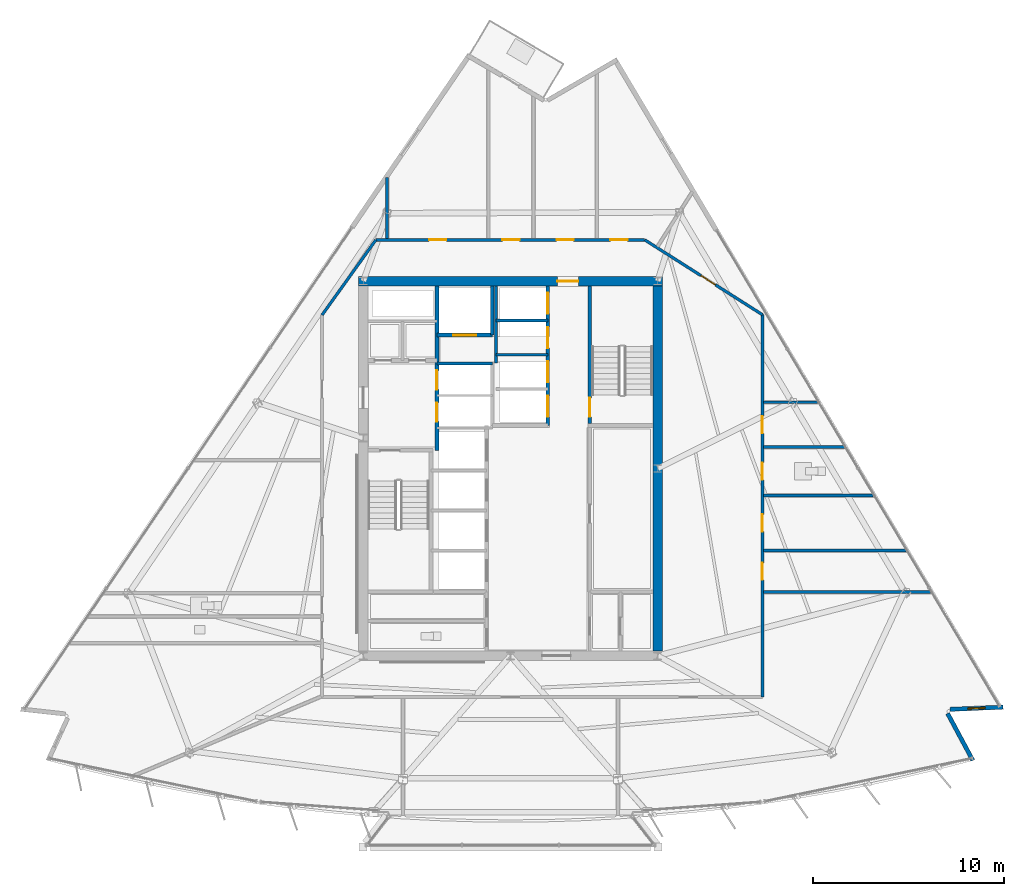
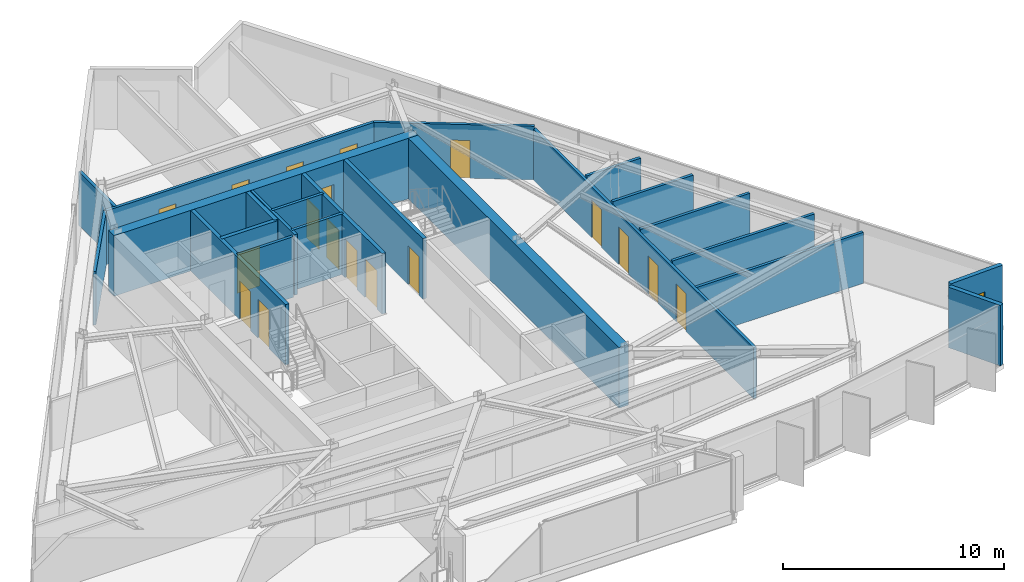
# One storey, part 9 of 14: 23 walls, 18 doors, 1 window, 19 openings.
"""IFC4 building model written with IfcOpenShell, lengths in metres."""

from ifc_helpers import new_model, si_unit, direction, frame, frame_2d, origin, place, context, subcontext, project, spatial, rectangle, extrude, material, layer, layer_set, type_object, element, fill, save


model = new_model("IFC4")

# Units and contexts
model_context = context("Model", 3, precision=1e-05, world=origin(), true_north=direction((0.0, 1.0)))
body_context = subcontext(model_context, "Body", "Model", "MODEL_VIEW")
ifc_project = project(units=[si_unit("LENGTHUNIT", "METRE"), si_unit("AREAUNIT", "SQUARE_METRE"), si_unit("VOLUMEUNIT", "CUBIC_METRE"), si_unit("PLANEANGLEUNIT", "RADIAN"), si_unit("MASSUNIT", "GRAM", prefix="KILO")], contexts=[model_context])

# Site, building, storey
site_placement = place(None, origin())
site = spatial("IfcSite", under=ifc_project, at=site_placement, CompositionType="ELEMENT")
building_placement = place(site_placement, origin())
building = spatial("IfcBuilding", under=site, at=building_placement, Name="Savorim Split Tower", CompositionType="ELEMENT")
storey_placement = place(building_placement, frame((0.0, 0.0, 205.5)))
storey = spatial("IfcBuildingStorey", under=building, at=storey_placement, Name="L54", CompositionType="ELEMENT", Elevation=205.5)

# Wall, opening, door
ifc_material_1 = material(Name="Concrete C60/75", Category="concrete")
ifc_layer_1 = layer(ifc_material_1, 0.5)
ifc_layer_set_1 = layer_set([ifc_layer_1], Name="WAL-COR-SH500")
wall_type_1 = type_object("IfcWallType", Name="WAL-COR-SH500", PredefinedType="SHEAR", material=ifc_layer_set_1)
wall_1_placement = place(storey_placement, frame((7.949951171875, 10.199951171875, 0.0), z_axis=(0.0, 0.0, 1.0), x_axis=(-1.0, 0.0, 0.0)))
wall_1 = element("IfcWall", 1, at=wall_1_placement, inside=storey, type_object=wall_type_1, Name="L54 Offset Core North Shear Wall", PredefinedType="SHEAR", context=body_context, shape_type="SweptSolid", body=[
    extrude(rectangle(XDim=15.89990234375, YDim=0.5, at=frame_2d((7.949951171875, 0.0))), origin(), (0.0, 0.0, 1.0), 3.35009765625),
])
opening_1_placement = place(wall_1_placement, frame((4.39990234375, 0.0, 0.0)))
opening_1 = element("IfcOpeningElement", 2, at=opening_1_placement, cuts=wall_1, Name="Opening DI-03", PredefinedType="OPENING", context=body_context, shape_type="SweptSolid", body=[
    extrude(rectangle(XDim=1.10009765625, YDim=2.14990234375, at=frame_2d((0.550048828125, 1.074951171875))), frame((0.0, 0.260009765625, 0.0), z_axis=(0.0, -1.0, 0.0), x_axis=(1.0, 0.0, 0.0)), (0.0, 0.0, 1.0), 0.52001953125),
])
ifc_material_2 = material(Name="Timber Fire Door Leaf", Category="wood")
door_type_1 = type_object("IfcDoorType", Name="DOR-FIR-1100", OperationType="NOTDEFINED", PredefinedType="DOOR", material=ifc_material_2)
door_1_placement = place(opening_1_placement, origin())
door_1 = element("IfcDoor", 3, at=door_1_placement, inside=storey, type_object=door_type_1, Name="DOR-L54-COR-NLOB - L54 North Corridor Lobby Fire Door", OperationType="SINGLE_SWING_LEFT", OverallHeight=2.14990234375, OverallWidth=1.10009765625, PredefinedType="DOOR", context=body_context, shape_type="SweptSolid", body=[
    extrude(rectangle(XDim=1.10009765625, YDim=2.14990234375, at=frame_2d((0.550048828125, 1.074951171875))), frame((0.0, 0.02490234375, 0.0), z_axis=(0.0, -1.0, 0.0), x_axis=(1.0, 0.0, 0.0)), (0.0, 0.0, 1.0), 0.050048828125),
])
fill(opening_1, door_1)

# Walls
wall_2_placement = place(storey_placement, frame((7.699951171875, 9.949951171875, 0.0), z_axis=(0.0, 0.0, 1.0), x_axis=(0.0, -1.0, 0.0)))
element("IfcWall", 4, at=wall_2_placement, inside=storey, type_object=wall_type_1, Name="L54 Offset Core East Shear Wall", PredefinedType="SHEAR", context=body_context, shape_type="SweptSolid", body=[
    extrude(rectangle(XDim=19.099853515625, YDim=0.5, at=frame_2d((9.5498046875, 0.0))), origin(), (0.0, 0.0, 1.0), 3.35009765625),
])
ifc_material_3 = material(Name="Precast concrete C40/50", Category="concrete")
ifc_layer_2 = layer(ifc_material_3, 0.219970703125)
ifc_layer_set_2 = layer_set([ifc_layer_2], Name="WAL-EXT-CRN220")
wall_type_2 = type_object("IfcWallType", Name="WAL-EXT-CRN220", PredefinedType="SOLIDWALL", material=ifc_layer_set_2)
wall_3_placement = place(storey_placement, frame((22.86767578125, -12.414794921875, 0.0), z_axis=(0.0, 0.0, 1.0), x_axis=(0.472845900162, -0.881145138272, 0.0)))
element("IfcWall", 5, at=wall_3_placement, inside=storey, type_object=wall_type_2, Name="L54 Notched Corner Facade Wall SE1", PredefinedType="SOLIDWALL", context=body_context, shape_type="SweptSolid", body=[
    extrude(rectangle(XDim=2.78759765625, YDim=0.219970703125, at=frame_2d((1.393798828125, 0.0))), origin(), (0.0, 0.0, 1.0), 3.35009765625),
])

# Wall, opening, window
wall_4_placement = place(storey_placement, frame((25.77197265625, -12.082763671875, 0.0), z_axis=(0.0, 0.0, 1.0), x_axis=(-0.999095761456, -0.042516578425, 0.0)))
wall_4 = element("IfcWall", 6, at=wall_4_placement, inside=storey, type_object=wall_type_2, Name="L54 Notched Corner Facade Wall SE", PredefinedType="SOLIDWALL", context=body_context, shape_type="SweptSolid", body=[
    extrude(rectangle(XDim=2.784912109375, YDim=0.219970703125, at=frame_2d((1.392578125, 0.0))), origin(), (0.0, 0.0, 1.0), 3.35009765625),
])
opening_2_placement = place(wall_4_placement, frame((0.9423828125, 0.0, 0.6201171875)))
opening_2 = element("IfcOpeningElement", 7, at=opening_2_placement, cuts=wall_4, Name="Opening WN-10", PredefinedType="OPENING", context=body_context, shape_type="SweptSolid", body=[
    extrude(rectangle(XDim=0.89990234375, YDim=1.60009765625, at=frame_2d((0.449951171875, 0.800048828125))), frame((0.0, 0.119873046875, 0.0), z_axis=(0.0, -1.0, 0.0), x_axis=(1.0, 0.0, 0.0)), (0.0, 0.0, 1.0), 0.239990234375),
])
ifc_material_4 = material(Name="Low-E Operable Double Glazing", Category="glass")
window_type = type_object("IfcWindowType", Name="WIN-TWR-900x1600", PartitioningType="SINGLE_PANEL", PredefinedType="WINDOW", material=ifc_material_4)
window_placement = place(opening_2_placement, origin())
window = element("IfcWindow", 8, at=window_placement, inside=storey, type_object=window_type, Name="L54 Operable Corner Window SE", OverallHeight=1.60009765625, OverallWidth=0.89990234375, PartitioningType="SINGLE_PANEL", PredefinedType="WINDOW", context=body_context, shape_type="SweptSolid", body=[
    extrude(rectangle(XDim=0.89990234375, YDim=1.60009765625, at=frame_2d((0.449951171875, 0.800048828125))), frame((0.0, 0.030029296875, 0.0), z_axis=(0.0, -1.0, 0.0), x_axis=(1.0, 0.0, 0.0)), (0.0, 0.0, 1.0), 0.06005859375),
])
fill(opening_2, window)

# Wall, openings, doors
ifc_material_5 = material(Name="Concrete C50/60", Category="concrete")
ifc_layer_3 = layer(ifc_material_5, 0.199951171875)
ifc_layer_set_3 = layer_set([ifc_layer_3], Name="WAL-INT-RC200")
wall_type_3 = type_object("IfcWallType", Name="WAL-INT-RC200", PredefinedType="SOLIDWALL", material=ifc_layer_set_3)
wall_5_placement = place(storey_placement, frame((-3.85009765625, 1.35009765625, 0.0), z_axis=(0.0, 0.0, 1.0), x_axis=(0.0, 1.0, 0.0)))
wall_5 = element("IfcWall", 9, at=wall_5_placement, inside=storey, type_object=wall_type_3, Name="L54 Partition W-L54-CR03", PredefinedType="SOLIDWALL", context=body_context, shape_type="SweptSolid", body=[
    extrude(rectangle(XDim=8.594970703125, YDim=0.199951171875, at=frame_2d((4.29736328125, 0.0))), origin(), (0.0, 0.0, 1.0), 3.35009765625),
])
opening_3_placement = place(wall_5_placement, frame((1.5, 0.0, 0.0)))
opening_3 = element("IfcOpeningElement", 10, at=opening_3_placement, cuts=wall_5, Name="Opening LD-FFL", PredefinedType="OPENING", context=body_context, shape_type="SweptSolid", body=[
    extrude(rectangle(XDim=1.0, YDim=2.14990234375, at=frame_2d((0.5, 1.074951171875))), frame((0.0, 0.10986328125, 0.0), z_axis=(0.0, -1.0, 0.0), x_axis=(1.0, 0.0, 0.0)), (0.0, 0.0, 1.0), 0.219970703125),
])
opening_4_placement = place(wall_5_placement, frame((3.179931640625, 0.0, 0.0)))
opening_4 = element("IfcOpeningElement", 11, at=opening_4_placement, cuts=wall_5, Name="Opening LD-FFL", PredefinedType="OPENING", context=body_context, shape_type="SweptSolid", body=[
    extrude(rectangle(XDim=1.0, YDim=2.14990234375, at=frame_2d((0.5, 1.074951171875))), frame((0.0, 0.10986328125, 0.0), z_axis=(0.0, -1.0, 0.0), x_axis=(1.0, 0.0, 0.0)), (0.0, 0.0, 1.0), 0.219970703125),
])
ifc_material_6 = material(Name="Charcoal Anodised Aluminium", Category="aluminium")
door_type_2 = type_object("IfcDoorType", Name="DOR-SLD-LD1000", OperationType="NOTDEFINED", PredefinedType="DOOR", material=ifc_material_6)
door_2_placement = place(opening_3_placement, origin())
door_2 = element("IfcDoor", 12, at=door_2_placement, inside=storey, type_object=door_type_2, Name="DR-L54-LD-FFL1 - L54 Firefighting Lift FFL-1 Sliding Landing Door", OperationType="DOUBLE_DOOR_SLIDING", OverallHeight=2.14990234375, OverallWidth=1.0, PredefinedType="DOOR", context=body_context, shape_type="SweptSolid", body=[
    extrude(rectangle(XDim=1.0, YDim=2.14990234375, at=frame_2d((0.5, 1.074951171875))), frame((0.0, 0.02490234375, 0.0), z_axis=(0.0, -1.0, 0.0), x_axis=(1.0, 0.0, 0.0)), (0.0, 0.0, 1.0), 0.050048828125),
])
fill(opening_3, door_2)
door_3_placement = place(opening_4_placement, origin())
door_3 = element("IfcDoor", 13, at=door_3_placement, inside=storey, type_object=door_type_2, Name="DR-L54-LD-FFL2 - L54 Firefighting Lift FFL-2 Sliding Landing Door", OperationType="DOUBLE_DOOR_SLIDING", OverallHeight=2.14990234375, OverallWidth=1.0, PredefinedType="DOOR", context=body_context, shape_type="SweptSolid", body=[
    extrude(rectangle(XDim=1.0, YDim=2.14990234375, at=frame_2d((0.5, 1.074951171875))), frame((0.0, 0.02490234375, 0.0), z_axis=(0.0, -1.0, 0.0), x_axis=(1.0, 0.0, 0.0)), (0.0, 0.0, 1.0), 0.050048828125),
])
fill(opening_4, door_3)

# Wall, opening, door
wall_6_placement = place(storey_placement, frame((4.14990234375, 2.75, 0.0), z_axis=(0.0, 0.0, 1.0), x_axis=(0.0, 1.0, 0.0)))
wall_6 = element("IfcWall", 14, at=wall_6_placement, inside=storey, type_object=wall_type_3, Name="L54 Structural Shaft Wall W-L54-CR07", PredefinedType="SOLIDWALL", context=body_context, shape_type="SweptSolid", body=[
    extrude(rectangle(XDim=7.199951171875, YDim=0.199951171875, at=frame_2d((3.60009765625, 0.0))), origin(), (0.0, 0.0, 1.0), 3.35009765625),
])
opening_5_placement = place(wall_6_placement, frame((0.35009765625, 0.0, 0.0)))
opening_5 = element("IfcOpeningElement", 15, at=opening_5_placement, cuts=wall_6, Name="Opening DI-04", PredefinedType="OPENING", context=body_context, shape_type="SweptSolid", body=[
    extrude(rectangle(XDim=1.0, YDim=2.14990234375, at=frame_2d((0.5, 1.074951171875))), frame((0.0, 0.10986328125, 0.0), z_axis=(0.0, -1.0, 0.0), x_axis=(1.0, 0.0, 0.0)), (0.0, 0.0, 1.0), 0.219970703125),
])
door_type_3 = type_object("IfcDoorType", Name="DOR-FIR-1000", OperationType="NOTDEFINED", PredefinedType="DOOR", material=ifc_material_2)
door_4_placement = place(opening_5_placement, origin())
door_4 = element("IfcDoor", 16, at=door_4_placement, inside=storey, type_object=door_type_3, Name="DR-L54-ST2 - L54 Stair ST-2 Enclosure Door", OperationType="SINGLE_SWING_RIGHT", OverallHeight=2.14990234375, OverallWidth=1.0, PredefinedType="DOOR", context=body_context, shape_type="SweptSolid", body=[
    extrude(rectangle(XDim=1.0, YDim=2.14990234375, at=frame_2d((0.5, 1.074951171875))), frame((0.0, 0.02490234375, 0.0), z_axis=(0.0, -1.0, 0.0), x_axis=(1.0, 0.0, 0.0)), (0.0, 0.0, 1.0), 0.050048828125),
])
fill(opening_5, door_4)

wall_7_placement = place(storey_placement, frame((-3.85009765625, 7.3798828125, 0.0), z_axis=(0.0, 0.0, 1.0), x_axis=(1.0, 0.0, 0.0)))
wall_7 = element("IfcWall", 17, at=wall_7_placement, inside=storey, type_object=wall_type_3, Name="L54 Partition W-L54-SVLS", PredefinedType="SOLIDWALL", context=body_context, shape_type="SweptSolid", body=[
    extrude(rectangle(XDim=2.900146484375, YDim=0.199951171875, at=frame_2d((1.4501953125, 0.0))), origin(), (0.0, 0.0, 1.0), 3.35009765625),
])
opening_6_placement = place(wall_7_placement, frame((0.85009765625, 0.0, 0.0)))
opening_6 = element("IfcOpeningElement", 18, at=opening_6_placement, cuts=wall_7, Name="Opening LD-SV", PredefinedType="OPENING", context=body_context, shape_type="SweptSolid", body=[
    extrude(rectangle(XDim=1.199951171875, YDim=2.199951171875, at=frame_2d((0.60009765625, 1.10009765625))), frame((0.0, 0.10986328125, 0.0), z_axis=(0.0, -1.0, 0.0), x_axis=(1.0, 0.0, 0.0)), (0.0, 0.0, 1.0), 0.219970703125),
])
door_type_4 = type_object("IfcDoorType", Name="DOR-SLD-SV1200", OperationType="NOTDEFINED", PredefinedType="DOOR", material=ifc_material_6)
door_5_placement = place(opening_6_placement, origin())
door_5 = element("IfcDoor", 19, at=door_5_placement, inside=storey, type_object=door_type_4, Name="DR-L54-LD-SVL1 - L54 Service Lift SVL-1 Sliding Landing Door", OperationType="DOUBLE_DOOR_SLIDING", OverallHeight=2.199951171875, OverallWidth=1.199951171875, PredefinedType="DOOR", context=body_context, shape_type="SweptSolid", body=[
    extrude(rectangle(XDim=1.199951171875, YDim=2.199951171875, at=frame_2d((0.60009765625, 1.10009765625))), frame((0.0, 0.02490234375, 0.0), z_axis=(0.0, -1.0, 0.0), x_axis=(1.0, 0.0, 0.0)), (0.0, 0.0, 1.0), 0.050048828125),
])
fill(opening_6, door_5)

# Wall
wall_8_placement = place(storey_placement, frame((-0.949951171875, 7.3798828125, 0.0), z_axis=(0.0, 0.0, 1.0), x_axis=(0.0, 1.0, 0.0)))
element("IfcWall", 20, at=wall_8_placement, inside=storey, type_object=wall_type_3, Name="L54 Partition W-L54-SVLE", PredefinedType="SOLIDWALL", context=body_context, shape_type="SweptSolid", body=[
    extrude(rectangle(XDim=2.565185546875, YDim=0.199951171875, at=frame_2d((1.28271484375, 0.0))), origin(), (0.0, 0.0, 1.0), 3.35009765625),
])

# Wall, openings, doors
wall_9_placement = place(storey_placement, frame((1.949951171875, 2.64990234375, 0.0), z_axis=(0.0, 0.0, 1.0), x_axis=(0.0, 1.0, 0.0)))
wall_9 = element("IfcWall", 21, at=wall_9_placement, inside=storey, type_object=wall_type_3, Name="L54 Partition W-L54-B3FRONT", PredefinedType="SOLIDWALL", context=body_context, shape_type="SweptSolid", body=[
    extrude(rectangle(XDim=7.295166015625, YDim=0.199951171875, at=frame_2d((3.6474609375, 0.0))), origin(), (0.0, 0.0, 1.0), 3.35009765625),
])
opening_7_placement = place(wall_9_placement, frame((0.449951171875, 0.0, 0.0)))
opening_7 = element("IfcOpeningElement", 22, at=opening_7_placement, cuts=wall_9, Name="Opening LD-03", PredefinedType="OPENING", context=body_context, shape_type="SweptSolid", body=[
    extrude(rectangle(XDim=1.10009765625, YDim=2.14990234375, at=frame_2d((0.550048828125, 1.074951171875))), frame((0.0, 0.10986328125, 0.0), z_axis=(0.0, -1.0, 0.0), x_axis=(1.0, 0.0, 0.0)), (0.0, 0.0, 1.0), 0.219970703125),
])
opening_8_placement = place(wall_9_placement, frame((2.25, 0.0, 0.0)))
opening_8 = element("IfcOpeningElement", 23, at=opening_8_placement, cuts=wall_9, Name="Opening LD-03", PredefinedType="OPENING", context=body_context, shape_type="SweptSolid", body=[
    extrude(rectangle(XDim=1.10009765625, YDim=2.14990234375, at=frame_2d((0.550048828125, 1.074951171875))), frame((0.0, 0.10986328125, 0.0), z_axis=(0.0, -1.0, 0.0), x_axis=(1.0, 0.0, 0.0)), (0.0, 0.0, 1.0), 0.219970703125),
])
opening_9_placement = place(wall_9_placement, frame((4.050048828125, 0.0, 0.0)))
opening_9 = element("IfcOpeningElement", 24, at=opening_9_placement, cuts=wall_9, Name="Opening LD-03", PredefinedType="OPENING", context=body_context, shape_type="SweptSolid", body=[
    extrude(rectangle(XDim=1.10009765625, YDim=2.14990234375, at=frame_2d((0.550048828125, 1.074951171875))), frame((0.0, 0.10986328125, 0.0), z_axis=(0.0, -1.0, 0.0), x_axis=(1.0, 0.0, 0.0)), (0.0, 0.0, 1.0), 0.219970703125),
])
opening_10_placement = place(wall_9_placement, frame((5.85009765625, 0.0, 0.0)))
opening_10 = element("IfcOpeningElement", 25, at=opening_10_placement, cuts=wall_9, Name="Opening LD-03", PredefinedType="OPENING", context=body_context, shape_type="SweptSolid", body=[
    extrude(rectangle(XDim=1.10009765625, YDim=2.14990234375, at=frame_2d((0.550048828125, 1.074951171875))), frame((0.0, 0.10986328125, 0.0), z_axis=(0.0, -1.0, 0.0), x_axis=(1.0, 0.0, 0.0)), (0.0, 0.0, 1.0), 0.219970703125),
])
door_type_5 = type_object("IfcDoorType", Name="DOR-SLD-LDH1100", OperationType="NOTDEFINED", PredefinedType="DOOR", material=ifc_material_6)
door_6_placement = place(opening_7_placement, origin())
door_6 = element("IfcDoor", 26, at=door_6_placement, inside=storey, type_object=door_type_5, Name="DR-L54-LD-PLH1 - L54 Lift PL-H1 Sliding Landing Door", OperationType="DOUBLE_DOOR_SLIDING", OverallHeight=2.14990234375, OverallWidth=1.10009765625, PredefinedType="DOOR", context=body_context, shape_type="SweptSolid", body=[
    extrude(rectangle(XDim=1.10009765625, YDim=2.14990234375, at=frame_2d((0.550048828125, 1.074951171875))), frame((0.0, 0.02490234375, 0.0), z_axis=(0.0, -1.0, 0.0), x_axis=(1.0, 0.0, 0.0)), (0.0, 0.0, 1.0), 0.050048828125),
])
fill(opening_7, door_6)
door_7_placement = place(opening_8_placement, origin())
door_7 = element("IfcDoor", 27, at=door_7_placement, inside=storey, type_object=door_type_5, Name="DR-L54-LD-PLH2 - L54 Lift PL-H2 Sliding Landing Door", OperationType="DOUBLE_DOOR_SLIDING", OverallHeight=2.14990234375, OverallWidth=1.10009765625, PredefinedType="DOOR", context=body_context, shape_type="SweptSolid", body=[
    extrude(rectangle(XDim=1.10009765625, YDim=2.14990234375, at=frame_2d((0.550048828125, 1.074951171875))), frame((0.0, 0.02490234375, 0.0), z_axis=(0.0, -1.0, 0.0), x_axis=(1.0, 0.0, 0.0)), (0.0, 0.0, 1.0), 0.050048828125),
])
fill(opening_8, door_7)
door_8_placement = place(opening_9_placement, origin())
door_8 = element("IfcDoor", 28, at=door_8_placement, inside=storey, type_object=door_type_5, Name="DR-L54-LD-PLH3 - L54 Lift PL-H3 Sliding Landing Door", OperationType="DOUBLE_DOOR_SLIDING", OverallHeight=2.14990234375, OverallWidth=1.10009765625, PredefinedType="DOOR", context=body_context, shape_type="SweptSolid", body=[
    extrude(rectangle(XDim=1.10009765625, YDim=2.14990234375, at=frame_2d((0.550048828125, 1.074951171875))), frame((0.0, 0.02490234375, 0.0), z_axis=(0.0, -1.0, 0.0), x_axis=(1.0, 0.0, 0.0)), (0.0, 0.0, 1.0), 0.050048828125),
])
fill(opening_9, door_8)
door_9_placement = place(opening_10_placement, origin())
door_9 = element("IfcDoor", 29, at=door_9_placement, inside=storey, type_object=door_type_5, Name="DR-L54-LD-PLH4 - L54 Lift PL-H4 Sliding Landing Door", OperationType="DOUBLE_DOOR_SLIDING", OverallHeight=2.14990234375, OverallWidth=1.10009765625, PredefinedType="DOOR", context=body_context, shape_type="SweptSolid", body=[
    extrude(rectangle(XDim=1.10009765625, YDim=2.14990234375, at=frame_2d((0.550048828125, 1.074951171875))), frame((0.0, 0.02490234375, 0.0), z_axis=(0.0, -1.0, 0.0), x_axis=(1.0, 0.0, 0.0)), (0.0, 0.0, 1.0), 0.050048828125),
])
fill(opening_10, door_9)

# Walls
ifc_material_7 = material(Name="Acoustic Gypsum Partition Board")
ifc_layer_4 = layer(ifc_material_7, 0.14990234375)
ifc_layer_set_4 = layer_set([ifc_layer_4], Name="WAL-PAR-150")
wall_type_4 = type_object("IfcWallType", Name="WAL-PAR-150", PredefinedType="PARTITIONING", material=ifc_layer_set_4)
wall_10_placement = place(storey_placement, frame((-3.85009765625, 5.89990234375, 0.0), z_axis=(0.0, 0.0, 1.0), x_axis=(1.0, 0.0, 0.0)))
element("IfcWall", 30, at=wall_10_placement, inside=storey, type_object=wall_type_4, Name="L54 Partition W-L54-FFLD2", PredefinedType="PARTITIONING", context=body_context, shape_type="SweptSolid", body=[
    extrude(rectangle(XDim=2.900146484375, YDim=0.14990234375, at=frame_2d((1.4501953125, 0.0))), origin(), (0.0, 0.0, 1.0), 3.35009765625),
])
wall_11_placement = place(storey_placement, frame((-0.75, 5.919921875, 0.0), z_axis=(0.0, 0.0, 1.0), x_axis=(0.0, 1.0, 0.0)))
element("IfcWall", 31, at=wall_11_placement, inside=storey, type_object=wall_type_4, Name="L54 Partition W-L54-B3WEST", PredefinedType="PARTITIONING", context=body_context, shape_type="SweptSolid", body=[
    extrude(rectangle(XDim=4.025146484375, YDim=0.14990234375, at=frame_2d((2.0126953125, 0.0))), origin(), (0.0, 0.0, 1.0), 3.35009765625),
])
for number, where, z_axis, x_axis, name in (
    (32, (-0.75, 6.35009765625, 0.0), (0.0, 0.0, 1.0), (1.0, 0.0, 0.0), "L54 Partition W-L54-B3DIV2"),
    (33, (-0.75, 8.14990234375, 0.0), (0.0, 0.0, 1.0), (1.0, 0.0, 0.0), "L54 Partition W-L54-B3DIV3"),
):
    element("IfcWall", number, at=place(storey_placement, frame(where, z_axis=z_axis, x_axis=x_axis)), inside=storey, type_object=wall_type_4, Name=name, PredefinedType="PARTITIONING", context=body_context, shape_type="SweptSolid", body=[
        extrude(rectangle(XDim=2.699951171875, YDim=0.14990234375, at=frame_2d((1.35009765625, 0.0))), origin(), (0.0, 0.0, 1.0), 3.35009765625),
    ])
wall_12_placement = place(storey_placement, frame((-9.860107421875, 8.42578125, 0.0), z_axis=(0.0, 0.0, 1.0), x_axis=(0.582449511476, 0.812866881218, 0.0)))
element("IfcWall", 34, at=wall_12_placement, inside=storey, type_object=wall_type_4, Name="L54 Partition W-L54-COR-02", PredefinedType="PARTITIONING", context=body_context, shape_type="SweptSolid", body=[
    extrude(rectangle(XDim=4.840087890625, YDim=0.14990234375, at=frame_2d((2.419921875, 0.0))), origin(), (0.0, 0.0, 1.0), 2.97509765625),
])

# Wall, openings, doors
wall_13_placement = place(storey_placement, frame((-7.041015625, 12.360107421875, 0.0), z_axis=(0.0, 0.0, 1.0), x_axis=(1.0, 0.0, 0.0)))
wall_13 = element("IfcWall", 35, at=wall_13_placement, inside=storey, type_object=wall_type_4, Name="L54 Partition W-L54-COR-03", PredefinedType="PARTITIONING", context=body_context, shape_type="SweptSolid", body=[
    extrude(rectangle(XDim=14.064208984375, YDim=0.14990234375, at=frame_2d((7.0322265625, 0.0))), origin(), (0.0, 0.0, 1.0), 2.97509765625),
])
opening_11_placement = place(wall_13_placement, frame((12.271728515625, 0.0, 0.0)))
opening_11 = element("IfcOpeningElement", 36, at=opening_11_placement, cuts=wall_13, Name="Opening DI-06", PredefinedType="OPENING", context=body_context, shape_type="SweptSolid", body=[
    extrude(rectangle(XDim=0.89990234375, YDim=2.10009765625, at=frame_2d((0.449951171875, 1.050048828125))), frame((0.0, 0.0849609375, 0.0), z_axis=(0.0, -1.0, 0.0), x_axis=(1.0, 0.0, 0.0)), (0.0, 0.0, 1.0), 0.169921875),
])
opening_12_placement = place(wall_13_placement, frame((9.449462890625, 0.0, 0.0)))
opening_12 = element("IfcOpeningElement", 37, at=opening_12_placement, cuts=wall_13, Name="Opening DI-06", PredefinedType="OPENING", context=body_context, shape_type="SweptSolid", body=[
    extrude(rectangle(XDim=0.89990234375, YDim=2.10009765625, at=frame_2d((0.449951171875, 1.050048828125))), frame((0.0, 0.0849609375, 0.0), z_axis=(0.0, -1.0, 0.0), x_axis=(1.0, 0.0, 0.0)), (0.0, 0.0, 1.0), 0.169921875),
])
opening_13_placement = place(wall_13_placement, frame((6.614013671875, 0.0, 0.0)))
opening_13 = element("IfcOpeningElement", 38, at=opening_13_placement, cuts=wall_13, Name="Opening DI-06", PredefinedType="OPENING", context=body_context, shape_type="SweptSolid", body=[
    extrude(rectangle(XDim=0.89990234375, YDim=2.10009765625, at=frame_2d((0.449951171875, 1.050048828125))), frame((0.0, 0.0849609375, 0.0), z_axis=(0.0, -1.0, 0.0), x_axis=(1.0, 0.0, 0.0)), (0.0, 0.0, 1.0), 0.169921875),
])
opening_14_placement = place(wall_13_placement, frame((2.7861328125, 0.0, 0.0)))
opening_14 = element("IfcOpeningElement", 39, at=opening_14_placement, cuts=wall_13, Name="Opening DI-06", PredefinedType="OPENING", context=body_context, shape_type="SweptSolid", body=[
    extrude(rectangle(XDim=0.89990234375, YDim=2.10009765625, at=frame_2d((0.449951171875, 1.050048828125))), frame((0.0, 0.0849609375, 0.0), z_axis=(0.0, -1.0, 0.0), x_axis=(1.0, 0.0, 0.0)), (0.0, 0.0, 1.0), 0.169921875),
])
door_type_6 = type_object("IfcDoorType", Name="DOR-FIR-900", OperationType="NOTDEFINED", PredefinedType="DOOR", material=ifc_material_2)
door_10_placement = place(opening_11_placement, origin())
door_10 = element("IfcDoor", 40, at=door_10_placement, inside=storey, type_object=door_type_6, Name="DR-L54-RM13 - L54 Co-Working Commons Entry Door", OperationType="SINGLE_SWING_RIGHT", OverallHeight=2.10009765625, OverallWidth=0.89990234375, PredefinedType="DOOR", context=body_context, shape_type="SweptSolid", body=[
    extrude(rectangle(XDim=0.89990234375, YDim=2.10009765625, at=frame_2d((0.449951171875, 1.050048828125))), frame((0.0, 0.02490234375, 0.0), z_axis=(0.0, -1.0, 0.0), x_axis=(1.0, 0.0, 0.0)), (0.0, 0.0, 1.0), 0.050048828125),
])
fill(opening_11, door_10)
door_11_placement = place(opening_12_placement, origin())
door_11 = element("IfcDoor", 41, at=door_11_placement, inside=storey, type_object=door_type_6, Name="DR-L54-RM14 - L54 Co-Working Commons Entry Door", OperationType="SINGLE_SWING_LEFT", OverallHeight=2.10009765625, OverallWidth=0.89990234375, PredefinedType="DOOR", context=body_context, shape_type="SweptSolid", body=[
    extrude(rectangle(XDim=0.89990234375, YDim=2.10009765625, at=frame_2d((0.449951171875, 1.050048828125))), frame((0.0, 0.02490234375, 0.0), z_axis=(0.0, -1.0, 0.0), x_axis=(1.0, 0.0, 0.0)), (0.0, 0.0, 1.0), 0.050048828125),
])
fill(opening_12, door_11)
door_12_placement = place(opening_13_placement, origin())
door_12 = element("IfcDoor", 42, at=door_12_placement, inside=storey, type_object=door_type_6, Name="DR-L54-RM15 - L54 Co-Working Commons Entry Door", OperationType="SINGLE_SWING_RIGHT", OverallHeight=2.10009765625, OverallWidth=0.89990234375, PredefinedType="DOOR", context=body_context, shape_type="SweptSolid", body=[
    extrude(rectangle(XDim=0.89990234375, YDim=2.10009765625, at=frame_2d((0.449951171875, 1.050048828125))), frame((0.0, 0.02490234375, 0.0), z_axis=(0.0, -1.0, 0.0), x_axis=(1.0, 0.0, 0.0)), (0.0, 0.0, 1.0), 0.050048828125),
])
fill(opening_13, door_12)
door_13_placement = place(opening_14_placement, origin())
door_13 = element("IfcDoor", 43, at=door_13_placement, inside=storey, type_object=door_type_6, Name="DR-L54-RM16 - L54 Co-Working Commons Entry Door", OperationType="SINGLE_SWING_LEFT", OverallHeight=2.10009765625, OverallWidth=0.89990234375, PredefinedType="DOOR", context=body_context, shape_type="SweptSolid", body=[
    extrude(rectangle(XDim=0.89990234375, YDim=2.10009765625, at=frame_2d((0.449951171875, 1.050048828125))), frame((0.0, 0.02490234375, 0.0), z_axis=(0.0, -1.0, 0.0), x_axis=(1.0, 0.0, 0.0)), (0.0, 0.0, 1.0), 0.050048828125),
])
fill(opening_14, door_13)

# Wall, opening, door
wall_14_placement = place(storey_placement, frame((7.023193359375, 12.360107421875, 0.0), z_axis=(0.0, 0.0, 1.0), x_axis=(0.84376480085, -0.536713108511, 0.0)))
wall_14 = element("IfcWall", 44, at=wall_14_placement, inside=storey, type_object=wall_type_4, Name="L54 Partition W-L54-COR-04", PredefinedType="PARTITIONING", context=body_context, shape_type="SweptSolid", body=[
    extrude(rectangle(XDim=7.296630859375, YDim=0.14990234375, at=frame_2d((3.6484375, 0.0))), origin(), (0.0, 0.0, 1.0), 2.97509765625),
])
opening_15_placement = place(wall_14_placement, frame((3.48583984375, 0.0, 0.0)))
opening_15 = element("IfcOpeningElement", 45, at=opening_15_placement, cuts=wall_14, Name="Opening DI-06", PredefinedType="OPENING", context=body_context, shape_type="SweptSolid", body=[
    extrude(rectangle(XDim=0.89990234375, YDim=2.10009765625, at=frame_2d((0.449951171875, 1.050048828125))), frame((0.0, 0.0849609375, 0.0), z_axis=(0.0, -1.0, 0.0), x_axis=(1.0, 0.0, 0.0)), (0.0, 0.0, 1.0), 0.169921875),
])
door_14_placement = place(opening_15_placement, origin())
door_14 = element("IfcDoor", 46, at=door_14_placement, inside=storey, type_object=door_type_6, Name="DR-L54-RM12 - L54 Co-Working Commons Entry Door", OperationType="SINGLE_SWING_LEFT", OverallHeight=2.10009765625, OverallWidth=0.89990234375, PredefinedType="DOOR", context=body_context, shape_type="SweptSolid", body=[
    extrude(rectangle(XDim=0.89990234375, YDim=2.10009765625, at=frame_2d((0.449951171875, 1.050048828125))), frame((0.0, 0.02490234375, 0.0), z_axis=(0.0, -1.0, 0.0), x_axis=(1.0, 0.0, 0.0)), (0.0, 0.0, 1.0), 0.050048828125),
])
fill(opening_15, door_14)

# Wall, openings, doors
wall_15_placement = place(storey_placement, frame((13.179931640625, 8.44384765625, 0.0), z_axis=(0.0, 0.0, 1.0), x_axis=(0.0, -1.0, 0.0)))
wall_15 = element("IfcWall", 47, at=wall_15_placement, inside=storey, type_object=wall_type_4, Name="L54 Partition W-L54-COR-05", PredefinedType="PARTITIONING", context=body_context, shape_type="SweptSolid", body=[
    extrude(rectangle(XDim=20.00390625, YDim=0.14990234375, at=frame_2d((10.001953125, 0.0))), origin(), (0.0, 0.0, 1.0), 2.824951171875),
])
opening_16_placement = place(wall_15_placement, frame((12.976806640625, 0.0, 0.0)))
opening_16 = element("IfcOpeningElement", 48, at=opening_16_placement, cuts=wall_15, Name="Opening DI-06", PredefinedType="OPENING", context=body_context, shape_type="SweptSolid", body=[
    extrude(rectangle(XDim=0.89990234375, YDim=2.10009765625, at=frame_2d((0.449951171875, 1.050048828125))), frame((0.0, 0.0849609375, 0.0), z_axis=(0.0, -1.0, 0.0), x_axis=(1.0, 0.0, 0.0)), (0.0, 0.0, 1.0), 0.169921875),
])
opening_17_placement = place(wall_15_placement, frame((10.4482421875, 0.0, 0.0)))
opening_17 = element("IfcOpeningElement", 49, at=opening_17_placement, cuts=wall_15, Name="Opening DI-06", PredefinedType="OPENING", context=body_context, shape_type="SweptSolid", body=[
    extrude(rectangle(XDim=0.89990234375, YDim=2.10009765625, at=frame_2d((0.449951171875, 1.050048828125))), frame((0.0, 0.0849609375, 0.0), z_axis=(0.0, -1.0, 0.0), x_axis=(1.0, 0.0, 0.0)), (0.0, 0.0, 1.0), 0.169921875),
])
opening_18_placement = place(wall_15_placement, frame((7.742919921875, 0.0, 0.0)))
opening_18 = element("IfcOpeningElement", 50, at=opening_18_placement, cuts=wall_15, Name="Opening DI-11", PredefinedType="OPENING", context=body_context, shape_type="SweptSolid", body=[
    extrude(rectangle(XDim=0.89990234375, YDim=2.10009765625, at=frame_2d((0.449951171875, 1.050048828125))), frame((0.0, 0.0849609375, 0.0), z_axis=(0.0, -1.0, 0.0), x_axis=(1.0, 0.0, 0.0)), (0.0, 0.0, 1.0), 0.169921875),
])
opening_19_placement = place(wall_15_placement, frame((5.30224609375, 0.0, 0.0)))
opening_19 = element("IfcOpeningElement", 51, at=opening_19_placement, cuts=wall_15, Name="Opening DI-06", PredefinedType="OPENING", context=body_context, shape_type="SweptSolid", body=[
    extrude(rectangle(XDim=0.89990234375, YDim=2.10009765625, at=frame_2d((0.449951171875, 1.050048828125))), frame((0.0, 0.0849609375, 0.0), z_axis=(0.0, -1.0, 0.0), x_axis=(1.0, 0.0, 0.0)), (0.0, 0.0, 1.0), 0.169921875),
])
door_15_placement = place(opening_16_placement, origin())
door_15 = element("IfcDoor", 52, at=door_15_placement, inside=storey, type_object=door_type_6, Name="DR-L54-RM08 - L54 Quiet Study Room Entry Door", OperationType="SINGLE_SWING_LEFT", OverallHeight=2.10009765625, OverallWidth=0.89990234375, PredefinedType="DOOR", context=body_context, shape_type="SweptSolid", body=[
    extrude(rectangle(XDim=0.89990234375, YDim=2.10009765625, at=frame_2d((0.449951171875, 1.050048828125))), frame((0.0, 0.02490234375, 0.0), z_axis=(0.0, -1.0, 0.0), x_axis=(1.0, 0.0, 0.0)), (0.0, 0.0, 1.0), 0.050048828125),
])
fill(opening_16, door_15)
door_16_placement = place(opening_17_placement, origin())
door_16 = element("IfcDoor", 53, at=door_16_placement, inside=storey, type_object=door_type_6, Name="DR-L54-RM09 - L54 Co-Working Commons Entry Door", OperationType="SINGLE_SWING_RIGHT", OverallHeight=2.10009765625, OverallWidth=0.89990234375, PredefinedType="DOOR", context=body_context, shape_type="SweptSolid", body=[
    extrude(rectangle(XDim=0.89990234375, YDim=2.10009765625, at=frame_2d((0.449951171875, 1.050048828125))), frame((0.0, 0.02490234375, 0.0), z_axis=(0.0, -1.0, 0.0), x_axis=(1.0, 0.0, 0.0)), (0.0, 0.0, 1.0), 0.050048828125),
])
fill(opening_17, door_16)
door_17_placement = place(opening_19_placement, origin())
door_17 = element("IfcDoor", 54, at=door_17_placement, inside=storey, type_object=door_type_6, Name="DR-L54-RM11 - L54 Co-Living Bedroom Entry Door", OperationType="SINGLE_SWING_RIGHT", OverallHeight=2.10009765625, OverallWidth=0.89990234375, PredefinedType="DOOR", context=body_context, shape_type="SweptSolid", body=[
    extrude(rectangle(XDim=0.89990234375, YDim=2.10009765625, at=frame_2d((0.449951171875, 1.050048828125))), frame((0.0, 0.02490234375, 0.0), z_axis=(0.0, -1.0, 0.0), x_axis=(1.0, 0.0, 0.0)), (0.0, 0.0, 1.0), 0.050048828125),
])
fill(opening_19, door_17)
ifc_material_8 = material(Name="Oak Veneer Acoustic Door")
door_type_7 = type_object("IfcDoorType", Name="DOR-WC-900", OperationType="NOTDEFINED", PredefinedType="DOOR", material=ifc_material_8)
door_18_placement = place(opening_18_placement, origin())
door_18 = element("IfcDoor", 55, at=door_18_placement, inside=storey, type_object=door_type_7, Name="DR-L54-RM10 - L54 Shared Bathroom Entry Door", OperationType="SINGLE_SWING_LEFT", OverallHeight=2.10009765625, OverallWidth=0.89990234375, PredefinedType="DOOR", context=body_context, shape_type="SweptSolid", body=[
    extrude(rectangle(XDim=0.89990234375, YDim=2.10009765625, at=frame_2d((0.449951171875, 1.050048828125))), frame((0.0, 0.02490234375, 0.0), z_axis=(0.0, -1.0, 0.0), x_axis=(1.0, 0.0, 0.0)), (0.0, 0.0, 1.0), 0.050048828125),
])
fill(opening_18, door_18)

# Walls
wall_16_placement = place(storey_placement, frame((13.239990234375, -6.0703125, 0.0), z_axis=(0.0, 0.0, 1.0), x_axis=(1.0, 0.0, 0.0)))
element("IfcWall", 56, at=wall_16_placement, inside=storey, type_object=wall_type_4, Name="L54 Partition W-L54-PRAD05", PredefinedType="PARTITIONING", context=body_context, shape_type="SweptSolid", body=[
    extrude(rectangle(XDim=8.73388671875, YDim=0.14990234375, at=frame_2d((4.366943359375, 0.0))), origin(), (0.0, 0.0, 1.0), 2.824951171875),
])
wall_17_placement = place(storey_placement, frame((13.239990234375, 3.867919921875, 0.0), z_axis=(0.0, 0.0, 1.0), x_axis=(1.0, 0.0, 0.0)))
element("IfcWall", 57, at=wall_17_placement, inside=storey, type_object=wall_type_4, Name="L54 Partition W-L54-PRAD06", PredefinedType="PARTITIONING", context=body_context, shape_type="SweptSolid", body=[
    extrude(rectangle(XDim=2.82421875, YDim=0.14990234375, at=frame_2d((1.412109375, 0.0))), origin(), (0.0, 0.0, 1.0), 2.97509765625),
])
wall_18_placement = place(storey_placement, frame((-6.45556640625, 12.419921875, 0.0), z_axis=(0.0, 0.0, 1.0), x_axis=(0.0, 1.0, 0.0)))
element("IfcWall", 58, at=wall_18_placement, inside=storey, type_object=wall_type_4, Name="L54 Partition W-L54-PRAD08", PredefinedType="PARTITIONING", context=body_context, shape_type="SweptSolid", body=[
    extrude(rectangle(XDim=3.20458984375, YDim=0.14990234375, at=frame_2d((1.602294921875, 0.0))), origin(), (0.0, 0.0, 1.0), 2.97509765625),
])
wall_19_placement = place(storey_placement, frame((13.239990234375, -1.013427734375, 0.0), z_axis=(0.0, 0.0, 1.0), x_axis=(1.0, 0.0, 0.0)))
element("IfcWall", 59, at=wall_19_placement, inside=storey, type_object=wall_type_4, Name="L54 Partition W-L54-SUB02", PredefinedType="PARTITIONING", context=body_context, shape_type="SweptSolid", body=[
    extrude(rectangle(XDim=5.726806640625, YDim=0.14990234375, at=frame_2d((2.86328125, 0.0))), origin(), (0.0, 0.0, 1.0), 2.97509765625),
])
wall_20_placement = place(storey_placement, frame((13.239990234375, -3.895263671875, 0.0), z_axis=(0.0, 0.0, 1.0), x_axis=(1.0, 0.0, 0.0)))
element("IfcWall", 60, at=wall_20_placement, inside=storey, type_object=wall_type_4, Name="L54 Partition W-L54-SUB05", PredefinedType="PARTITIONING", context=body_context, shape_type="SweptSolid", body=[
    extrude(rectangle(XDim=7.4404296875, YDim=0.14990234375, at=frame_2d((3.72021484375, 0.0))), origin(), (0.0, 0.0, 1.0), 2.97509765625),
])
wall_21_placement = place(storey_placement, frame((13.239990234375, 1.51513671875, 0.0), z_axis=(0.0, 0.0, 1.0), x_axis=(1.0, 0.0, 0.0)))
element("IfcWall", 61, at=wall_21_placement, inside=storey, type_object=wall_type_4, Name="L54 Partition W-L54-SUB06", PredefinedType="PARTITIONING", context=body_context, shape_type="SweptSolid", body=[
    extrude(rectangle(XDim=4.223388671875, YDim=0.14990234375, at=frame_2d((2.11181640625, 0.0))), origin(), (0.0, 0.0, 1.0), 2.97509765625),
])

save(model, "model.ifc")
